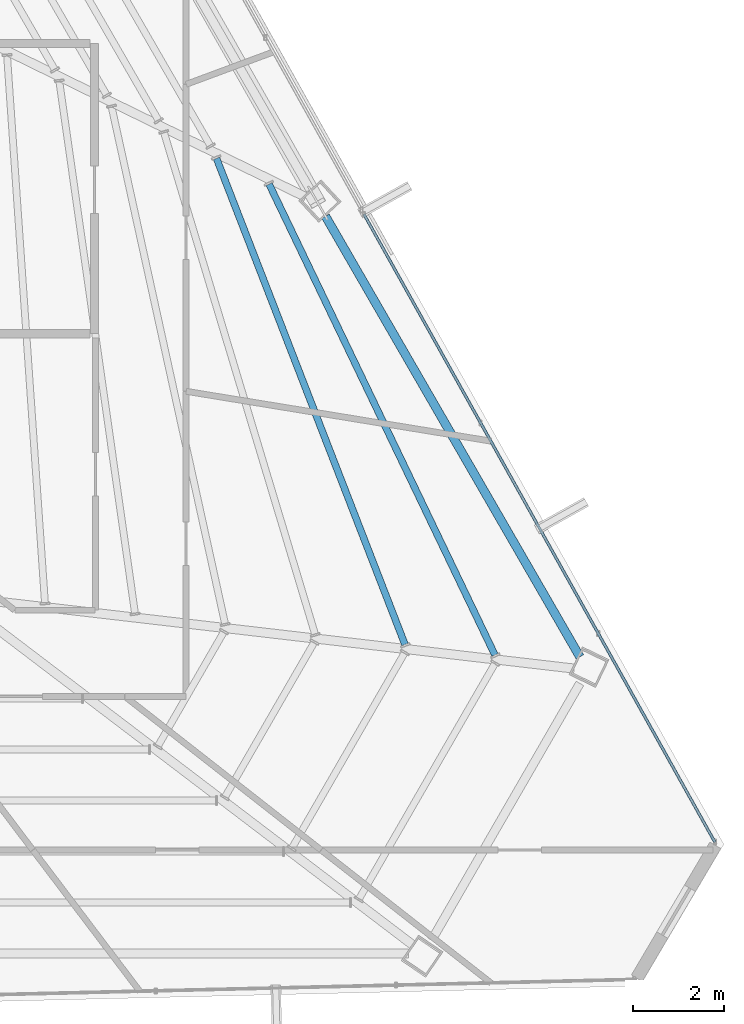
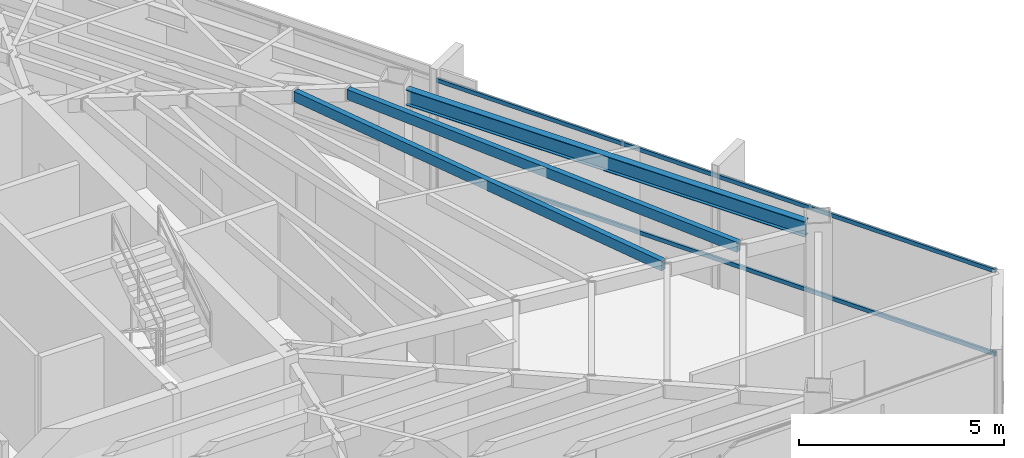
# One storey, part 24 of 45: 3 beams, 2 members, 1 element without a shape of its own.
"""IFC4 building model written with IfcOpenShell, lengths in metres."""

from ifc_helpers import new_model, si_unit, direction, frame, origin, origin_2d, place, context, subcontext, project, spatial, hollow_rectangle, i_section, extrude, source, transform, mapped, material, material_profile, profile_set, type_object, type_shapes, element, aggregate, save


model = new_model("IFC4")

# Units and contexts
model_context = context("Model", 3, precision=1e-05, world=origin(), true_north=direction((0.0, 1.0)))
body_context = subcontext(model_context, "Body", "Model", "MODEL_VIEW")
ifc_project = project(units=[si_unit("LENGTHUNIT", "METRE"), si_unit("AREAUNIT", "SQUARE_METRE"), si_unit("VOLUMEUNIT", "CUBIC_METRE"), si_unit("PLANEANGLEUNIT", "RADIAN"), si_unit("MASSUNIT", "GRAM", prefix="KILO")], contexts=[model_context])

# Site, building, storey
site_placement = place(None, origin())
site = spatial("IfcSite", under=ifc_project, at=site_placement, CompositionType="ELEMENT")
building_placement = place(site_placement, origin())
building = spatial("IfcBuilding", under=site, at=building_placement, Name="Caelisora Broadcast Tower", CompositionType="ELEMENT")
storey_placement = place(building_placement, frame((0.0, 0.0, 262.699951171875)))
storey = spatial("IfcBuildingStorey", under=building, at=storey_placement, Name="L69", CompositionType="ELEMENT", Elevation=262.699951171875)

# Beams
ifc_material_1 = material(Name="Steel Grade 350 (AS/NZS 3679.1)", Category="steel")
ifc_material_profile_1 = material_profile(ifc_material_1, i_section(OverallWidth=0.19091796875, OverallDepth=0.46044921875, WebThickness=0.010009765625, FlangeThickness=0.01611328125, at=origin_2d()), Name="Steel Grade 350 (AS/NZS 3679.1)")
ifc_profile_set_1 = profile_set([ifc_material_profile_1], Name="Steel Grade 350 (AS/NZS 3679.1)")
beam_type_1 = type_object("IfcBeamType", Name="PG06", PredefinedType="BEAM", material=ifc_profile_set_1)
shared_shape_1 = source(origin(), body_context, "Body", "SweptSolid", [
    extrude(i_section(OverallWidth=0.19091796875, OverallDepth=0.46044921875, WebThickness=0.010009765625, FlangeThickness=0.01611328125, at=origin_2d()), origin(), (0.0, 0.0, 1.0), 11.22265625),
])
type_shapes(beam_type_1, [shared_shape_1])
beam_1_placement = place(storey_placement, frame((59.287109375, 16.071533203125, 3.169921875), z_axis=(-0.500004293243, 0.866022925065, 0.0), x_axis=(-0.866022925065, -0.500004293243, 0.0)))
element("IfcBeam", 1, at=beam_1_placement, inside=storey, type_object=beam_type_1, Name="L69 beam PG06", PredefinedType="BEAM", context=body_context, shape_type="MappedRepresentation", body=[
    mapped(shared_shape_1, transform((0.0, 0.0, 0.0), scale=1.0)),
])
ifc_material_2 = material(Name="Steel Grade 350 (AS/NZS 1163 C350L0)", Category="steel")
ifc_material_profile_2 = material_profile(ifc_material_2, hollow_rectangle(XDim=0.14990234375, YDim=0.300048828125, WallThickness=0.010009765625, at=origin_2d()), Name="Steel Grade 350 (AS/NZS 1163 C350L0)")
ifc_profile_set_2 = profile_set([ifc_material_profile_2], Name="Steel Grade 350 (AS/NZS 1163 C350L0)")
beam_type_2 = type_object("IfcBeamType", Name="SB05", PredefinedType="JOIST", material=ifc_profile_set_2)
shared_shape_2 = source(origin(), body_context, "Body", "SweptSolid", [
    extrude(hollow_rectangle(XDim=0.14990234375, YDim=0.300048828125, WallThickness=0.010009765625, at=origin_2d()), origin(), (0.0, 0.0, 1.0), 11.5185546875),
])
beam_2_placement = place(storey_placement, frame((57.41259765625, 16.1142578125, 3.25), z_axis=(-0.432451977239, 0.901656967689, 0.0), x_axis=(-0.901656967689, -0.432451977239, 0.0)))
element("IfcBeam", 2, at=beam_2_placement, inside=storey, type_object=beam_type_2, Name="L69 beam SB05", PredefinedType="JOIST", context=body_context, shape_type="MappedRepresentation", body=[
    mapped(shared_shape_2, transform((0.0, 0.0, 0.0), scale=1.0)),
])
shared_shape_3 = source(origin(), body_context, "Body", "SweptSolid", [
    extrude(hollow_rectangle(XDim=0.14990234375, YDim=0.300048828125, WallThickness=0.010009765625, at=origin_2d()), origin(), (0.0, 0.0, 1.0), 11.5009765625),
])
type_shapes(beam_type_2, [shared_shape_2, shared_shape_3])
beam_3_placement = place(storey_placement, frame((55.428955078125, 16.3447265625, 3.25), z_axis=(-0.361491323944, 0.932375473033, 0.0), x_axis=(-0.932375473033, -0.361491323944, 0.0)))
element("IfcBeam", 3, at=beam_3_placement, inside=storey, type_object=beam_type_2, Name="L69 beam SB05", PredefinedType="JOIST", context=body_context, shape_type="MappedRepresentation", body=[
    mapped(shared_shape_3, transform((0.0, 0.0, 0.0), scale=1.0)),
])

# Curtain wall, members
ifc_material_3 = material(Name="Unitised Aluminium and Low-E Glass Curtain Wall", Category="glass")
curtain_wall_type = type_object("IfcCurtainWallType", Name="CW-Z5", PredefinedType="NOTDEFINED", material=ifc_material_3)
curtain_wall_placement = place(storey_placement, origin())
curtain_wall = element("IfcCurtainWall", 4, at=curtain_wall_placement, inside=storey, type_object=curtain_wall_type, Name="L69 curtain wall CW-Z5", PredefinedType="NOTDEFINED")
ifc_material_4 = material(Name="Aluminium 6063-T6 Anodised Terracotta Bronze", Category="aluminium")
ifc_material_profile_3 = material_profile(ifc_material_4, hollow_rectangle(XDim=0.06005859375, YDim=0.1201171875, WallThickness=0.0029296875, at=origin_2d()), Name="Aluminium 6063-T6 Anodised Terracotta Bronze")
ifc_profile_set_3 = profile_set([ifc_material_profile_3], Name="Aluminium 6063-T6 Anodised Terracotta Bronze")
member_type = type_object("IfcMemberType", Name="CWT-03", PredefinedType="USERDEFINED", material=ifc_profile_set_3)
shared_shape_4 = source(origin(), body_context, "Body", "SweptSolid", [
    extrude(hollow_rectangle(XDim=0.06005859375, YDim=0.1201171875, WallThickness=0.0029296875, at=origin_2d()), origin(), (0.0, 0.0, 1.0), 15.868408203125),
])
type_shapes(member_type, [shared_shape_4])
member_1_placement = place(storey_placement, frame((54.5244140625, 25.835693359375, 0.85009765625), z_axis=(0.487838598895, -0.872933847109, 0.0), x_axis=(0.872933847109, 0.487838598895, 0.0)))
member_1 = element("IfcMember", 5, at=member_1_placement, type_object=member_type, Name="L69-CW-B03 transom #1", ObjectType="TRANSOM", PredefinedType="USERDEFINED", context=body_context, shape_type="MappedRepresentation", body=[
    mapped(shared_shape_4, transform((0.0, 0.0, 0.0), scale=1.0)),
])
member_2_placement = place(storey_placement, frame((54.5244140625, 25.835693359375, 3.320068359375), z_axis=(0.487838598895, -0.872933847109, 0.0), x_axis=(0.872933847109, 0.487838598895, 0.0)))
member_2 = element("IfcMember", 6, at=member_2_placement, type_object=member_type, Name="L69-CW-B03 transom #2", ObjectType="TRANSOM", PredefinedType="USERDEFINED", context=body_context, shape_type="MappedRepresentation", body=[
    mapped(shared_shape_4, transform((0.0, 0.0, 0.0), scale=1.0)),
])
aggregate(curtain_wall, [member_1, member_2])

save(model, "model.ifc")
